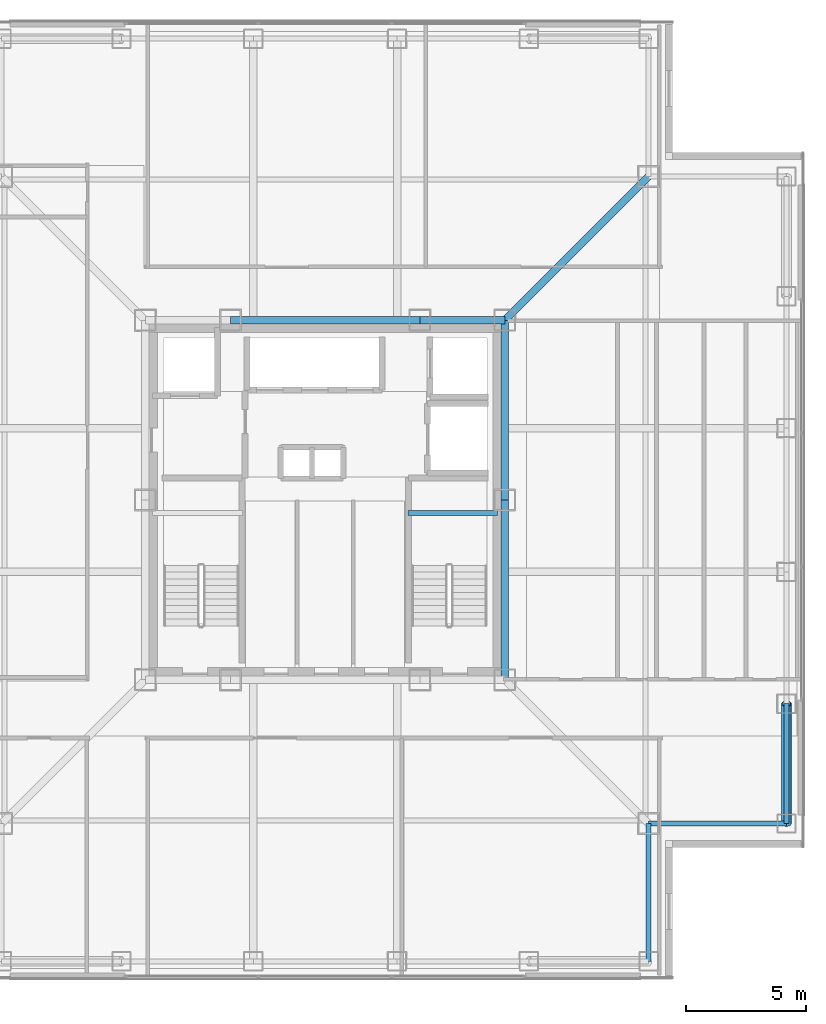
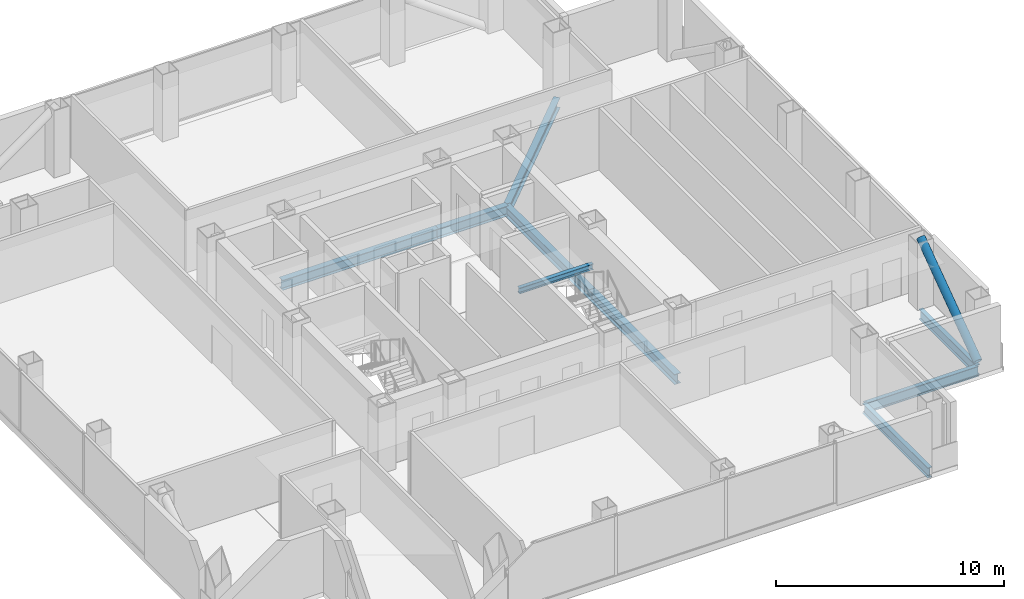
# One storey, part 5 of 17: 9 beams, 1 member.
"""IFC4 building model written with IfcOpenShell, lengths in metres."""

from ifc_helpers import new_model, si_unit, direction, frame, origin, origin_2d, place, context, subcontext, project, spatial, hollow_circle, i_section, extrude, material, material_profile, profile_set, type_object, element, save


model = new_model("IFC4")

# Units and contexts
model_context = context("Model", 3, precision=1e-05, world=origin(), true_north=direction((0.0, 1.0)))
body_context = subcontext(model_context, "Body", "Model", "MODEL_VIEW")
ifc_project = project(units=[si_unit("LENGTHUNIT", "METRE"), si_unit("AREAUNIT", "SQUARE_METRE"), si_unit("VOLUMEUNIT", "CUBIC_METRE"), si_unit("PLANEANGLEUNIT", "RADIAN"), si_unit("MASSUNIT", "GRAM", prefix="KILO")], contexts=[model_context])

# Site, building, storey
site_placement = place(None, origin())
site = spatial("IfcSite", under=ifc_project, at=site_placement, CompositionType="ELEMENT")
building_placement = place(site_placement, origin())
building = spatial("IfcBuilding", under=site, at=building_placement, Name="Trevonay Congress Spire", CompositionType="ELEMENT")
storey_placement = place(building_placement, frame((0.0, 0.0, 191.39990234375)))
storey = spatial("IfcBuildingStorey", under=building, at=storey_placement, Name="L49", CompositionType="ELEMENT", Elevation=191.39990234375)

# Beams
ifc_material_1 = material(Name="Steel ASTM A572 Grade 50", Category="steel")
ifc_material_profile_1 = material_profile(ifc_material_1, i_section(OverallWidth=0.31201171875, OverallDepth=0.54296875, WebThickness=0.0126953125, FlangeThickness=0.020263671875, FilletRadius=0.014892578125, at=origin_2d()), Name="W530x150")
ifc_profile_set_1 = profile_set([ifc_material_profile_1], Name="Steel ASTM A572 Grade 50")
beam_type_1 = type_object("IfcBeamType", Name="BM-GIRD-W530X150", PredefinedType="BEAM", material=ifc_profile_set_1)
beam_1_placement = place(storey_placement, frame((-3.949951171875, 7.5, -0.511474609375), z_axis=(1.0, 0.0, 0.0), x_axis=(0.0, 1.0, 0.0)))
element("IfcBeam", 1, at=beam_1_placement, inside=storey, type_object=beam_type_1, Name="L49 structural beam BM-L49-CR-N2", PredefinedType="BEAM", context=body_context, shape_type="SweptSolid", body=[
    extrude(i_section(OverallWidth=0.31201171875, OverallDepth=0.54296875, WebThickness=0.0126953125, FlangeThickness=0.020263671875, FilletRadius=0.014892578125, at=origin_2d()), origin(), (0.0, 0.0, 1.0), 7.89990234375),
])
beam_2_placement = place(storey_placement, frame((3.949951171875, 7.5, -0.511474609375), z_axis=(1.0, 0.0, 0.0), x_axis=(0.0, 1.0, 0.0)))
element("IfcBeam", 2, at=beam_2_placement, inside=storey, type_object=beam_type_1, Name="L49 structural beam BM-L49-CR-N3", PredefinedType="BEAM", context=body_context, shape_type="SweptSolid", body=[
    extrude(i_section(OverallWidth=0.31201171875, OverallDepth=0.54296875, WebThickness=0.0126953125, FlangeThickness=0.020263671875, FilletRadius=0.014892578125, at=origin_2d()), origin(), (0.0, 0.0, 1.0), 3.550048828125),
])
for number, where, z_axis, x_axis, name in (
    (3, (7.5, -7.5, -0.511474609375), (0.0, 1.0, 0.0), (-1.0, 0.0, 0.0), "L49 structural beam BM-L49-CR-E1"),
    (4, (7.5, 0.0, -0.511474609375), (0.0, 1.0, 0.0), (-1.0, 0.0, 0.0), "L49 structural beam BM-L49-CR-E2"),
):
    element("IfcBeam", number, at=place(storey_placement, frame(where, z_axis=z_axis, x_axis=x_axis)), inside=storey, type_object=beam_type_1, Name=name, PredefinedType="BEAM", context=body_context, shape_type="SweptSolid", body=[
        extrude(i_section(OverallWidth=0.31201171875, OverallDepth=0.54296875, WebThickness=0.0126953125, FlangeThickness=0.020263671875, FilletRadius=0.014892578125, at=origin_2d()), origin(), (0.0, 0.0, 1.0), 7.5),
    ])
beam_3_placement = place(storey_placement, frame((7.5, 7.5, -0.511474609375), z_axis=(0.707106781187, 0.707106781187, 0.0), x_axis=(-0.707106781187, 0.707106781187, 0.0)))
element("IfcBeam", 5, at=beam_3_placement, inside=storey, type_object=beam_type_1, Name="L49 structural beam BM-L49-CDNE", PredefinedType="BEAM", context=body_context, shape_type="SweptSolid", body=[
    extrude(i_section(OverallWidth=0.31201171875, OverallDepth=0.54296875, WebThickness=0.0126953125, FlangeThickness=0.020263671875, FilletRadius=0.014892578125, at=origin_2d()), origin(), (0.0, 0.0, 1.0), 8.4853515625),
])
ifc_material_profile_2 = material_profile(ifc_material_1, i_section(OverallWidth=0.2119140625, OverallDepth=0.5439453125, WebThickness=0.01318359375, FlangeThickness=0.021240234375, FilletRadius=0.014892578125, at=origin_2d()), Name="W530x123")
ifc_profile_set_2 = profile_set([ifc_material_profile_2], Name="Steel ASTM A572 Grade 50")
beam_type_2 = type_object("IfcBeamType", Name="BM-RING-W530X123", PredefinedType="BEAM", material=ifc_profile_set_2)
beam_4_placement = place(storey_placement, frame((19.25, -13.5, -0.511962890625), z_axis=(0.0, 1.0, 0.0), x_axis=(-1.0, 0.0, 0.0)))
element("IfcBeam", 6, at=beam_4_placement, inside=storey, type_object=beam_type_2, Name="L49 structural beam BM-L49-PE1", PredefinedType="BEAM", context=body_context, shape_type="SweptSolid", body=[
    extrude(i_section(OverallWidth=0.2119140625, OverallDepth=0.5439453125, WebThickness=0.01318359375, FlangeThickness=0.021240234375, FilletRadius=0.014892578125, at=origin_2d()), origin(), (0.0, 0.0, 1.0), 5.0),
])
for number, where, z_axis, x_axis, name in (
    (7, (13.5, -19.25, -0.511962890625), (0.0, 1.0, 0.0), (-1.0, 0.0, 0.0), "L49 structural beam BM-L49-N1SE"),
    (8, (19.25, -13.5, -0.511962890625), (-1.0, 0.0, 0.0), (0.0, -1.0, 0.0), "L49 structural beam BM-L49-N2SE"),
):
    element("IfcBeam", number, at=place(storey_placement, frame(where, z_axis=z_axis, x_axis=x_axis)), inside=storey, type_object=beam_type_2, Name=name, PredefinedType="BEAM", context=body_context, shape_type="SweptSolid", body=[
        extrude(i_section(OverallWidth=0.2119140625, OverallDepth=0.5439453125, WebThickness=0.01318359375, FlangeThickness=0.021240234375, FilletRadius=0.014892578125, at=origin_2d()), origin(), (0.0, 0.0, 1.0), 5.75),
    ])
ifc_material_profile_3 = material_profile(ifc_material_1, i_section(OverallWidth=0.2041015625, OverallDepth=0.305908203125, WebThickness=0.008544921875, FlangeThickness=0.0146484375, FilletRadius=0.010986328125, at=origin_2d()), Name="W310x67")
ifc_profile_set_3 = profile_set([ifc_material_profile_3], Name="Steel ASTM A572 Grade 50")
beam_type_3 = type_object("IfcBeamType", Name="LN-CORE-W310X67", PredefinedType="LINTEL", material=ifc_profile_set_3)
beam_5_placement = place(storey_placement, frame((3.449951171875, -0.550048828125, 1.447021484375), z_axis=(1.0, 0.0, 0.0), x_axis=(0.0, 1.0, 0.0)))
element("IfcBeam", 9, at=beam_5_placement, inside=storey, type_object=beam_type_3, Name="L49 structural beam BM-L49-HL-ST2", PredefinedType="LINTEL", context=body_context, shape_type="SweptSolid", body=[
    extrude(i_section(OverallWidth=0.2041015625, OverallDepth=0.305908203125, WebThickness=0.008544921875, FlangeThickness=0.0146484375, FilletRadius=0.010986328125, at=origin_2d()), origin(), (0.0, 0.0, 1.0), 3.75),
])

# Member
ifc_material_2 = material(Name="Steel ASTM A500 Grade C", Category="steel")
ifc_material_profile_4 = material_profile(ifc_material_2, hollow_circle(Radius=0.203125, WallThickness=0.02001953125, at=origin_2d()), Name="CHS 406.4x20")
ifc_profile_set_4 = profile_set([ifc_material_profile_4], Name="Steel ASTM A500 Grade C")
member_type = type_object("IfcMemberType", Name="MBR-TUBE-CHS406", PredefinedType="BRACE", material=ifc_profile_set_4)
member_placement = place(storey_placement, frame((19.25, -13.5, -0.0498046875), z_axis=(0.0, 0.811545615365, 0.584289067313), x_axis=(-1.0, 0.0, 0.0)))
element("IfcMember", 10, at=member_placement, inside=storey, type_object=member_type, Name="L49 perimeter braced-tube diagonal E0", PredefinedType="BRACE", context=body_context, shape_type="SweptSolid", body=[
    extrude(hollow_circle(Radius=0.203125, WallThickness=0.02001953125, at=origin_2d()), origin(), (0.0, 0.0, 1.0), 6.1611328125),
])

save(model, "model.ifc")
